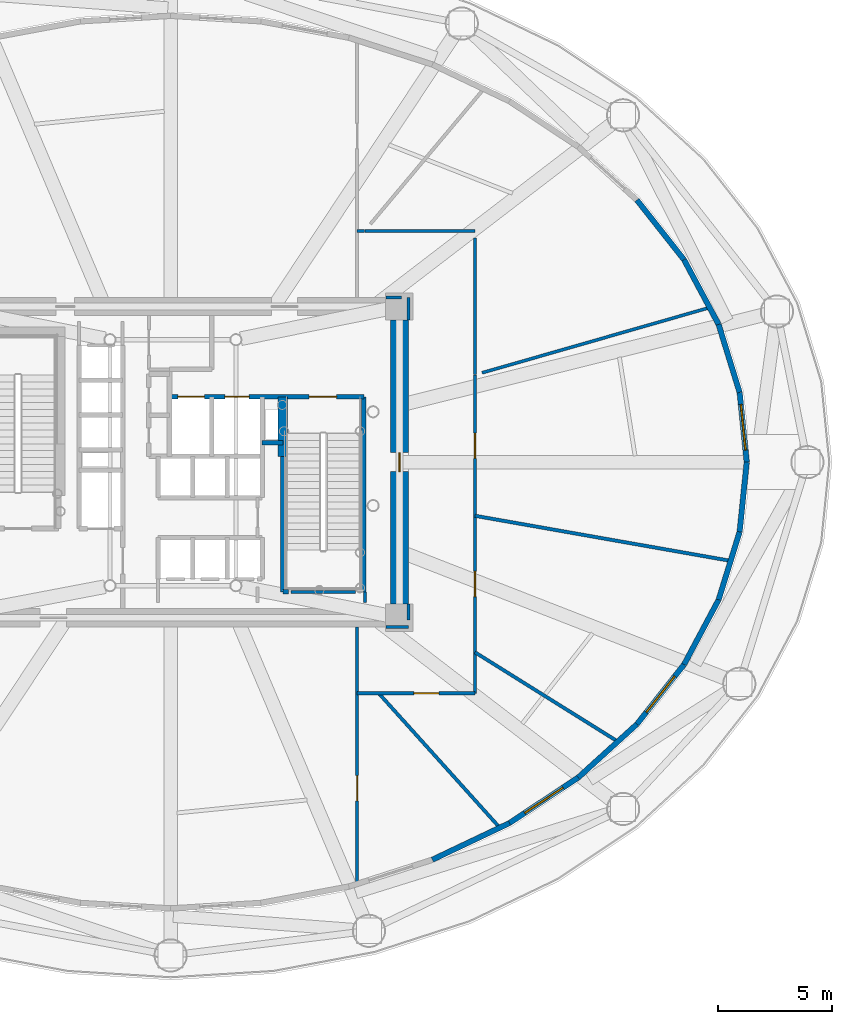
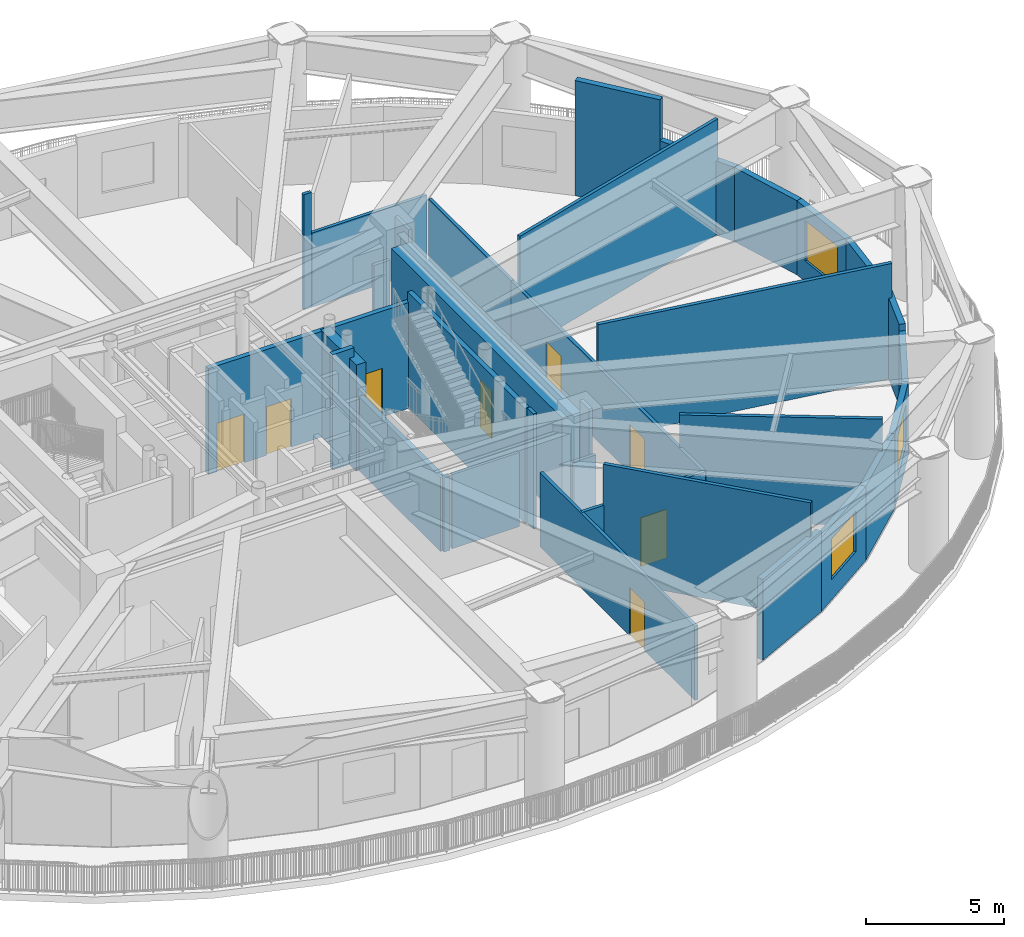
# One storey, part 7 of 15: 34 walls, 8 doors, 3 windows, 11 openings.
"""IFC4 building model written with IfcOpenShell, lengths in metres."""

from ifc_helpers import new_model, si_unit, direction, frame, frame_2d, origin, origin_2d, place, context, subcontext, project, spatial, rectangle, extrude, source, transform, mapped, material, layer, layer_set, type_object, element, fill, save


model = new_model("IFC4")

# Units and contexts
model_context = context("Model", 3, precision=1e-05, world=origin(), true_north=direction((0.0, 1.0)))
body_context = subcontext(model_context, "Body", "Model", "MODEL_VIEW")
ifc_project = project(units=[si_unit("LENGTHUNIT", "METRE"), si_unit("AREAUNIT", "SQUARE_METRE"), si_unit("VOLUMEUNIT", "CUBIC_METRE"), si_unit("PLANEANGLEUNIT", "RADIAN"), si_unit("MASSUNIT", "GRAM", prefix="KILO")], contexts=[model_context])

# Site, building, storey
site_placement = place(None, origin())
site = spatial("IfcSite", under=ifc_project, at=site_placement, CompositionType="ELEMENT")
building_placement = place(site_placement, origin())
building = spatial("IfcBuilding", under=site, at=building_placement, Name="Linh Dai School and Residence Tower", CompositionType="ELEMENT")
storey_placement = place(building_placement, frame((0.0, 0.0, 145.949951171875)))
storey = spatial("IfcBuildingStorey", under=building, at=storey_placement, Name="L35", CompositionType="ELEMENT", Elevation=145.949951171875)

# Wall, opening, window
ifc_material_1 = material(Name="Precast Concrete B45 (C35/45)", Category="concrete")
ifc_layer_1 = layer(ifc_material_1, 0.239990234375)
ifc_layer_set_1 = layer_set([ifc_layer_1], Name="Precast Concrete B45 (C35/45)")
wall_type_1 = type_object("IfcWallType", Name="EW-TC-240", PredefinedType="SOLIDWALL", material=ifc_layer_set_1)
wall_1_placement = place(storey_placement, frame((60.865966796875, 30.0458984375, 0.0), z_axis=(0.0, 0.0, 1.0), x_axis=(0.100956381824, -0.994890852792, 0.0)))
wall_1 = element("IfcWall", 1, at=wall_1_placement, inside=storey, type_object=wall_type_1, Name="L35 Terracotta Exterior Wall 01", PredefinedType="SOLIDWALL", context=body_context, shape_type="SweptSolid", body=[
    extrude(rectangle(XDim=3.0615234375, YDim=0.239990234375, at=frame_2d((1.53076171875, 0.0))), origin(), (0.0, 0.0, 1.0), 3.28515625),
])
opening_1_placement = place(wall_1_placement, frame((0.53076171875, 0.0, 0.89990234375)))
opening_1 = element("IfcOpeningElement", 2, at=opening_1_placement, cuts=wall_1, Name="Opening W5", PredefinedType="OPENING", context=body_context, shape_type="SweptSolid", body=[
    extrude(rectangle(XDim=2.0, YDim=1.800048828125, at=origin_2d()), frame((1.0, 0.1298828125, 0.89990234375), z_axis=(0.0, -1.0, 0.0), x_axis=(1.0, 0.0, 0.0)), (0.0, 0.0, 1.0), 0.260009765625),
])
ifc_material_2 = material(Name="Anodised Aluminium Weather Louvre", Category="aluminium")
window_type = type_object("IfcWindowType", Name="WN-LV-2000x1800", PartitioningType="SINGLE_PANEL", PredefinedType="USERDEFINED", material=ifc_material_2)
shared_shape_1 = source(origin(), body_context, "Body", "SweptSolid", [
    extrude(rectangle(XDim=2.0, YDim=1.800048828125, at=origin_2d()), frame((1.0, 0.030029296875, 0.89990234375), z_axis=(0.0, -1.0, 0.0), x_axis=(1.0, 0.0, 0.0)), (0.0, 0.0, 1.0), 0.06005859375),
])
window_1_placement = place(opening_1_placement, origin())
window_1 = element("IfcWindow", 3, at=window_1_placement, inside=storey, type_object=window_type, Name="L35 Plant Weather Louvre 01", ObjectType="LOUVRE VENT", OverallHeight=1.800048828125, OverallWidth=2.0, PartitioningType="SINGLE_PANEL", PredefinedType="USERDEFINED", context=body_context, shape_type="MappedRepresentation", body=[
    mapped(shared_shape_1, transform((0.0, 0.0, 0.0), x_axis=(1.0, 0.0, 0.0), y_axis=(0.0, 1.0, 0.0), z_axis=(0.0, 0.0, 1.0), scale=1.0)),
])
fill(opening_1, window_1)

# Walls
wall_2_placement = place(storey_placement, frame((59.946533203125, 33.017822265625, 0.0), z_axis=(0.0, 0.0, 1.0), x_axis=(0.295552425989, -0.955326521924, 0.0)))
element("IfcWall", 4, at=wall_2_placement, inside=storey, type_object=wall_type_1, Name="L35 Terracotta Exterior Wall 02", PredefinedType="SOLIDWALL", context=body_context, shape_type="SweptSolid", body=[
    extrude(rectangle(XDim=3.11083984375, YDim=0.239990234375, at=frame_2d((1.555419921875, 0.0))), origin(), (0.0, 0.0, 1.0), 3.28515625),
])
wall_3_placement = place(storey_placement, frame((58.43798828125, 35.84326171875, 0.0), z_axis=(0.0, 0.0, 1.0), x_axis=(0.470987769323, -0.882139740148, 0.0)))
element("IfcWall", 5, at=wall_3_placement, inside=storey, type_object=wall_type_1, Name="L35 Terracotta Exterior Wall 03", PredefinedType="SOLIDWALL", context=body_context, shape_type="SweptSolid", body=[
    extrude(rectangle(XDim=3.202880859375, YDim=0.239990234375, at=frame_2d((1.6015625, 0.0))), origin(), (0.0, 0.0, 1.0), 3.28515625),
])
wall_4_placement = place(storey_placement, frame((56.376953125, 38.452880859375, 0.0), z_axis=(0.0, 0.0, 1.0), x_axis=(0.619794245312, -0.784764355382, 0.0)))
element("IfcWall", 6, at=wall_4_placement, inside=storey, type_object=wall_type_1, Name="L35 Terracotta Exterior Wall 04", PredefinedType="SOLIDWALL", context=body_context, shape_type="SweptSolid", body=[
    extrude(rectangle(XDim=3.325439453125, YDim=0.239990234375, at=frame_2d((1.66259765625, 0.0))), origin(), (0.0, 0.0, 1.0), 5.10009765625),
])
wall_5_placement = place(storey_placement, frame((50.8095703125, 11.227783203125, 0.0), z_axis=(0.0, 0.0, 1.0), x_axis=(-0.903124021388, -0.429379787592, 0.0)))
element("IfcWall", 7, at=wall_5_placement, inside=storey, type_object=wall_type_1, Name="L35 Terracotta Exterior Wall 34", PredefinedType="SOLIDWALL", context=body_context, shape_type="SweptSolid", body=[
    extrude(rectangle(XDim=3.731201171875, YDim=0.239990234375, at=frame_2d((1.86572265625, 0.0))), origin(), (0.0, 0.0, 1.0), 3.5849609375),
])

# Wall, opening, window
wall_6_placement = place(storey_placement, frame((53.813232421875, 13.21826171875, 0.0), z_axis=(0.0, 0.0, 1.0), x_axis=(-0.83357940612, -0.552399650337, 0.0)))
wall_6 = element("IfcWall", 8, at=wall_6_placement, inside=storey, type_object=wall_type_1, Name="L35 Terracotta Exterior Wall 35", PredefinedType="SOLIDWALL", context=body_context, shape_type="SweptSolid", body=[
    extrude(rectangle(XDim=3.603271484375, YDim=0.239990234375, at=frame_2d((1.8017578125, 0.0))), origin(), (0.0, 0.0, 1.0), 3.28515625),
])
opening_2_placement = place(wall_6_placement, frame((0.801513671875, 0.0, 0.89990234375)))
opening_2 = element("IfcOpeningElement", 9, at=opening_2_placement, cuts=wall_6, Name="Opening W5", PredefinedType="OPENING", context=body_context, shape_type="SweptSolid", body=[
    extrude(rectangle(XDim=2.0, YDim=1.800048828125, at=origin_2d()), frame((1.0, 0.1298828125, 0.89990234375), z_axis=(0.0, -1.0, 0.0), x_axis=(1.0, 0.0, 0.0)), (0.0, 0.0, 1.0), 0.260009765625),
])
window_2_placement = place(opening_2_placement, origin())
window_2 = element("IfcWindow", 10, at=window_2_placement, inside=storey, type_object=window_type, Name="L35 Plant Weather Louvre 35", ObjectType="LOUVRE VENT", OverallHeight=1.800048828125, OverallWidth=2.0, PartitioningType="SINGLE_PANEL", PredefinedType="USERDEFINED", context=body_context, shape_type="MappedRepresentation", body=[
    mapped(shared_shape_1, transform((0.0, 0.0, 0.0), x_axis=(1.0, 0.0, 0.0), y_axis=(0.0, 1.0, 0.0), z_axis=(0.0, 0.0, 1.0), scale=1.0)),
])
fill(opening_2, window_2)

# Wall
wall_7_placement = place(storey_placement, frame((56.376953125, 15.547119140625, 0.0), z_axis=(0.0, 0.0, 1.0), x_axis=(-0.740198369861, -0.672388558242, 0.0)))
element("IfcWall", 11, at=wall_7_placement, inside=storey, type_object=wall_type_1, Name="L35 Terracotta Exterior Wall 36", PredefinedType="SOLIDWALL", context=body_context, shape_type="SweptSolid", body=[
    extrude(rectangle(XDim=3.463623046875, YDim=0.239990234375, at=frame_2d((1.73193359375, 0.0))), origin(), (0.0, 0.0, 1.0), 3.28515625),
])

# Wall, opening, window
wall_8_placement = place(storey_placement, frame((58.43798828125, 18.15673828125, 0.0), z_axis=(0.0, 0.0, 1.0), x_axis=(-0.619794245312, -0.784764355382, 0.0)))
wall_8 = element("IfcWall", 12, at=wall_8_placement, inside=storey, type_object=wall_type_1, Name="L35 Terracotta Exterior Wall 37", PredefinedType="SOLIDWALL", context=body_context, shape_type="SweptSolid", body=[
    extrude(rectangle(XDim=3.325439453125, YDim=0.239990234375, at=frame_2d((1.66259765625, 0.0))), origin(), (0.0, 0.0, 1.0), 3.28515625),
])
opening_3_placement = place(wall_8_placement, frame((0.66259765625, 0.0, 0.89990234375)))
opening_3 = element("IfcOpeningElement", 13, at=opening_3_placement, cuts=wall_8, Name="Opening W5", PredefinedType="OPENING", context=body_context, shape_type="SweptSolid", body=[
    extrude(rectangle(XDim=2.0, YDim=1.800048828125, at=origin_2d()), frame((1.0, 0.1298828125, 0.89990234375), z_axis=(0.0, -1.0, 0.0), x_axis=(1.0, 0.0, 0.0)), (0.0, 0.0, 1.0), 0.260009765625),
])
window_3_placement = place(opening_3_placement, origin())
window_3 = element("IfcWindow", 14, at=window_3_placement, inside=storey, type_object=window_type, Name="L35 Plant Weather Louvre 37", ObjectType="LOUVRE VENT", OverallHeight=1.800048828125, OverallWidth=2.0, PartitioningType="SINGLE_PANEL", PredefinedType="USERDEFINED", context=body_context, shape_type="MappedRepresentation", body=[
    mapped(shared_shape_1, transform((0.0, 0.0, 0.0), x_axis=(1.0, 0.0, 0.0), y_axis=(0.0, 1.0, 0.0), z_axis=(0.0, 0.0, 1.0), scale=1.0)),
])
fill(opening_3, window_3)

# Walls
wall_9_placement = place(storey_placement, frame((59.946533203125, 20.982177734375, 0.0), z_axis=(0.0, 0.0, 1.0), x_axis=(-0.470987769323, -0.882139740148, 0.0)))
element("IfcWall", 15, at=wall_9_placement, inside=storey, type_object=wall_type_1, Name="L35 Terracotta Exterior Wall 38", PredefinedType="SOLIDWALL", context=body_context, shape_type="SweptSolid", body=[
    extrude(rectangle(XDim=3.202880859375, YDim=0.239990234375, at=frame_2d((1.6015625, 0.0))), origin(), (0.0, 0.0, 1.0), 3.28515625),
])
wall_10_placement = place(storey_placement, frame((60.865966796875, 23.9541015625, 0.0), z_axis=(0.0, 0.0, 1.0), x_axis=(-0.295552425989, -0.955326521924, 0.0)))
element("IfcWall", 16, at=wall_10_placement, inside=storey, type_object=wall_type_1, Name="L35 Terracotta Exterior Wall 39", PredefinedType="SOLIDWALL", context=body_context, shape_type="SweptSolid", body=[
    extrude(rectangle(XDim=3.11083984375, YDim=0.239990234375, at=frame_2d((1.555419921875, 0.0))), origin(), (0.0, 0.0, 1.0), 3.5849609375),
])
wall_11_placement = place(storey_placement, frame((61.175048828125, 27.0, 0.0), z_axis=(0.0, 0.0, 1.0), x_axis=(-0.100956381824, -0.994890852792, 0.0)))
element("IfcWall", 17, at=wall_11_placement, inside=storey, type_object=wall_type_1, Name="L35 Terracotta Exterior Wall 40", PredefinedType="SOLIDWALL", context=body_context, shape_type="SweptSolid", body=[
    extrude(rectangle(XDim=3.0615234375, YDim=0.239990234375, at=frame_2d((1.53076171875, 0.0))), origin(), (0.0, 0.0, 1.0), 3.28515625),
])

# Wall, opening, door
ifc_material_3 = material(Name="Autoclaved Aerated Concrete Blockwork", Category="masonry")
ifc_layer_2 = layer(ifc_material_3, 0.135009765625)
ifc_layer_set_2 = layer_set([ifc_layer_2], Name="Autoclaved Aerated Concrete Blockwork")
wall_type_2 = type_object("IfcWallType", Name="IW-CORR-135-EI90", PredefinedType="PARTITIONING", material=ifc_layer_set_2)
wall_12_placement = place(storey_placement, frame((44.14990234375, 8.563232421875, 0.0), z_axis=(0.0, 0.0, 1.0), x_axis=(0.0, 1.0, 0.0)))
wall_12 = element("IfcWall", 18, at=wall_12_placement, inside=storey, type_object=wall_type_2, Name="L35 Interior Partition Wall 047", PredefinedType="PARTITIONING", context=body_context, shape_type="SweptSolid", body=[
    extrude(rectangle(XDim=11.23681640625, YDim=0.135009765625, at=frame_2d((5.618408203125, 0.0))), origin(), (0.0, 0.0, 1.0), 3.28515625),
])
opening_4_placement = place(wall_12_placement, frame((3.638427734375, 0.0, 0.0)))
opening_4 = element("IfcOpeningElement", 19, at=opening_4_placement, cuts=wall_12, Name="Opening D07", PredefinedType="OPENING", context=body_context, shape_type="SweptSolid", body=[
    extrude(rectangle(XDim=1.10009765625, YDim=2.14990234375, at=origin_2d()), frame((0.550048828125, 0.07763671875, 1.074951171875), z_axis=(0.0, -1.0, 0.0), x_axis=(1.0, 0.0, 0.0)), (0.0, 0.0, 1.0), 0.155029296875),
])
ifc_material_4 = material(Name="Fire-Rated Louvred Steel Plant Door", Category="steel")
door_type_1 = type_object("IfcDoorType", Name="DR-PLT-1100x2150-FD60S", OperationType="NOTDEFINED", PredefinedType="DOOR", material=ifc_material_4)
shared_shape_2 = source(origin(), body_context, "Body", "SweptSolid", [
    extrude(rectangle(XDim=1.10009765625, YDim=2.14990234375, at=origin_2d()), frame((0.550048828125, 0.02490234375, 1.074951171875), z_axis=(0.0, -1.0, 0.0), x_axis=(1.0, 0.0, 0.0)), (0.0, 0.0, 1.0), 0.050048828125),
])
door_1_placement = place(opening_4_placement, origin())
door_1 = element("IfcDoor", 20, at=door_1_placement, inside=storey, type_object=door_type_1, Name="L35 Emergency Life-Safety UPS Battery Plant Room Door", OperationType="SINGLE_SWING_LEFT", OverallHeight=2.14990234375, OverallWidth=1.10009765625, PredefinedType="DOOR", context=body_context, shape_type="MappedRepresentation", body=[
    mapped(shared_shape_2, transform((0.0, 0.0, 0.0), x_axis=(1.0, 0.0, 0.0), y_axis=(0.0, 1.0, 0.0), z_axis=(0.0, 0.0, 1.0), scale=1.0)),
])
fill(opening_4, door_1)

wall_13_placement = place(storey_placement, frame((44.14990234375, 16.89990234375, 0.0), z_axis=(0.0, 0.0, 1.0), x_axis=(1.0, 0.0, 0.0)))
wall_13 = element("IfcWall", 21, at=wall_13_placement, inside=storey, type_object=wall_type_2, Name="L35 Interior Partition Wall 048", PredefinedType="PARTITIONING", context=body_context, shape_type="SweptSolid", body=[
    extrude(rectangle(XDim=5.150146484375, YDim=0.135009765625, at=frame_2d((2.5751953125, 0.0))), origin(), (0.0, 0.0, 1.0), 3.28515625),
])
opening_5_placement = place(wall_13_placement, frame((2.47705078125, 0.0, 0.0)))
opening_5 = element("IfcOpeningElement", 22, at=opening_5_placement, cuts=wall_13, Name="Opening D07", PredefinedType="OPENING", context=body_context, shape_type="SweptSolid", body=[
    extrude(rectangle(XDim=1.10009765625, YDim=2.14990234375, at=origin_2d()), frame((0.550048828125, 0.07763671875, 1.074951171875), z_axis=(0.0, -1.0, 0.0), x_axis=(1.0, 0.0, 0.0)), (0.0, 0.0, 1.0), 0.155029296875),
])
door_2_placement = place(opening_5_placement, origin())
door_2 = element("IfcDoor", 23, at=door_2_placement, inside=storey, type_object=door_type_1, Name="L35 Refuge Emergency Equipment & First-Aid Store Door", OperationType="SINGLE_SWING_RIGHT", OverallHeight=2.14990234375, OverallWidth=1.10009765625, PredefinedType="DOOR", context=body_context, shape_type="MappedRepresentation", body=[
    mapped(shared_shape_2, transform((0.0, 0.0, 0.0), x_axis=(1.0, 0.0, 0.0), y_axis=(0.0, 1.0, 0.0), z_axis=(0.0, 0.0, 1.0), scale=1.0)),
])
fill(opening_5, door_2)

# Wall
wall_14_placement = place(storey_placement, frame((44.14990234375, 37.10009765625, 0.0), z_axis=(0.0, 0.0, 1.0), x_axis=(1.0, 0.0, 0.0)))
element("IfcWall", 24, at=wall_14_placement, inside=storey, type_object=wall_type_2, Name="L35 Interior Partition Wall 050", PredefinedType="PARTITIONING", context=body_context, shape_type="SweptSolid", body=[
    extrude(rectangle(XDim=0.324951171875, YDim=0.135009765625, at=frame_2d((0.16259765625, 0.0))), origin(), (0.0, 0.0, 1.0), 5.10009765625),
])

# Wall, openings, doors
wall_15_placement = place(storey_placement, frame((49.300048828125, 16.89990234375, 0.0), z_axis=(0.0, 0.0, 1.0), x_axis=(0.0, 1.0, 0.0)))
wall_15 = element("IfcWall", 25, at=wall_15_placement, inside=storey, type_object=wall_type_2, Name="L35 Interior Partition Wall 053", PredefinedType="PARTITIONING", context=body_context, shape_type="SweptSolid", body=[
    extrude(rectangle(XDim=13.913818359375, YDim=0.135009765625, at=frame_2d((6.95703125, 0.0))), origin(), (0.0, 0.0, 1.0), 3.28515625),
])
opening_6_placement = place(wall_15_placement, frame((4.221923828125, 0.0, 0.0)))
opening_6 = element("IfcOpeningElement", 26, at=opening_6_placement, cuts=wall_15, Name="Opening D07", PredefinedType="OPENING", context=body_context, shape_type="SweptSolid", body=[
    extrude(rectangle(XDim=1.10009765625, YDim=2.14990234375, at=origin_2d()), frame((0.550048828125, 0.07763671875, 1.074951171875), z_axis=(0.0, -1.0, 0.0), x_axis=(1.0, 0.0, 0.0)), (0.0, 0.0, 1.0), 0.155029296875),
])
opening_7_placement = place(wall_15_placement, frame((10.264404296875, 0.0, 0.0)))
opening_7 = element("IfcOpeningElement", 27, at=opening_7_placement, cuts=wall_15, Name="Opening D07", PredefinedType="OPENING", context=body_context, shape_type="SweptSolid", body=[
    extrude(rectangle(XDim=1.10009765625, YDim=2.14990234375, at=origin_2d()), frame((0.550048828125, 0.07763671875, 1.074951171875), z_axis=(0.0, -1.0, 0.0), x_axis=(1.0, 0.0, 0.0)), (0.0, 0.0, 1.0), 0.155029296875),
])
door_3_placement = place(opening_6_placement, origin())
door_3 = element("IfcDoor", 28, at=door_3_placement, inside=storey, type_object=door_type_1, Name="L35 Primary Air-Handling Plant Room East 1 Door", OperationType="SINGLE_SWING_LEFT", OverallHeight=2.14990234375, OverallWidth=1.10009765625, PredefinedType="DOOR", context=body_context, shape_type="MappedRepresentation", body=[
    mapped(shared_shape_2, transform((0.0, 0.0, 0.0), x_axis=(1.0, 0.0, 0.0), y_axis=(0.0, 1.0, 0.0), z_axis=(0.0, 0.0, 1.0), scale=1.0)),
])
fill(opening_6, door_3)
door_4_placement = place(opening_7_placement, origin())
door_4 = element("IfcDoor", 29, at=door_4_placement, inside=storey, type_object=door_type_1, Name="L35 Primary Air-Handling Plant Room East 2 Door", OperationType="SINGLE_SWING_RIGHT", OverallHeight=2.14990234375, OverallWidth=1.10009765625, PredefinedType="DOOR", context=body_context, shape_type="MappedRepresentation", body=[
    mapped(shared_shape_2, transform((0.0, 0.0, 0.0), x_axis=(1.0, 0.0, 0.0), y_axis=(0.0, 1.0, 0.0), z_axis=(0.0, 0.0, 1.0), scale=1.0)),
])
fill(opening_7, door_4)

# Walls
wall_16_placement = place(storey_placement, frame((44.080078125, 21.330078125, 0.0), z_axis=(0.0, 0.0, 1.0), x_axis=(-1.0, 0.0, 0.0)))
element("IfcWall", 30, at=wall_16_placement, inside=storey, type_object=wall_type_2, Name="L35 Interior Partition Wall 056", PredefinedType="PARTITIONING", context=body_context, shape_type="SweptSolid", body=[
    extrude(rectangle(XDim=2.820068359375, YDim=0.135009765625, at=frame_2d((1.41015625, 0.0))), origin(), (0.0, 0.0, 1.0), 3.28515625),
])
wall_17_placement = place(storey_placement, frame((44.5, 20.860107421875, 0.0), z_axis=(0.0, 0.0, 1.0), x_axis=(0.0, 1.0, 0.0)))
element("IfcWall", 31, at=wall_17_placement, inside=storey, type_object=wall_type_2, Name="L35 Interior Partition Wall 063", PredefinedType="PARTITIONING", context=body_context, shape_type="SweptSolid", body=[
    extrude(rectangle(XDim=0.4599609375, YDim=0.135009765625, at=frame_2d((0.22998046875, 0.0))), origin(), (0.0, 0.0, 1.0), 5.10009765625),
])
wall_18_placement = place(storey_placement, frame((45.409912109375, 19.800048828125, 0.0), z_axis=(0.0, 0.0, 1.0), x_axis=(1.0, 0.0, 0.0)))
element("IfcWall", 32, at=wall_18_placement, inside=storey, type_object=wall_type_2, Name="L35 Interior Partition Wall 070", PredefinedType="PARTITIONING", context=body_context, shape_type="SweptSolid", body=[
    extrude(rectangle(XDim=0.989990234375, YDim=0.135009765625, at=frame_2d((0.4951171875, 0.0))), origin(), (0.0, 0.0, 1.0), 3.28515625),
])
wall_19_placement = place(storey_placement, frame((46.39990234375, 20.107421875, 0.0), z_axis=(0.0, 0.0, 1.0), x_axis=(0.0, 1.0, 0.0)))
element("IfcWall", 33, at=wall_19_placement, inside=storey, type_object=wall_type_2, Name="L35 Interior Partition Wall 071", PredefinedType="PARTITIONING", context=body_context, shape_type="SweptSolid", body=[
    extrude(rectangle(XDim=0.6826171875, YDim=0.135009765625, at=frame_2d((0.34130859375, 0.0))), origin(), (0.0, 0.0, 1.0), 5.10009765625),
])
wall_20_placement = place(storey_placement, frame((46.39990234375, 33.2099609375, 0.0), z_axis=(0.0, 0.0, 1.0), x_axis=(0.0, 1.0, 0.0)))
element("IfcWall", 34, at=wall_20_placement, inside=storey, type_object=wall_type_2, Name="L35 Interior Partition Wall 072", PredefinedType="PARTITIONING", context=body_context, shape_type="SweptSolid", body=[
    extrude(rectangle(XDim=0.989990234375, YDim=0.135009765625, at=frame_2d((0.4951171875, 0.0))), origin(), (0.0, 0.0, 1.0), 5.10009765625),
])
wall_21_placement = place(storey_placement, frame((46.092529296875, 34.199951171875, 0.0), z_axis=(0.0, 0.0, 1.0), x_axis=(-1.0, 0.0, 0.0)))
element("IfcWall", 35, at=wall_21_placement, inside=storey, type_object=wall_type_2, Name="L35 Interior Partition Wall 073", PredefinedType="PARTITIONING", context=body_context, shape_type="SweptSolid", body=[
    extrude(rectangle(XDim=0.6826171875, YDim=0.135009765625, at=frame_2d((0.34130859375, 0.0))), origin(), (0.0, 0.0, 1.0), 3.28515625),
])
wall_22_placement = place(storey_placement, frame((44.48486328125, 37.10009765625, 0.0), z_axis=(0.0, 0.0, 1.0), x_axis=(1.0, 0.0, 0.0)))
element("IfcWall", 36, at=wall_22_placement, inside=storey, type_object=wall_type_2, Name="L35 Interior Partition Wall 074", PredefinedType="PARTITIONING", context=body_context, shape_type="SweptSolid", body=[
    extrude(rectangle(XDim=4.815185546875, YDim=0.135009765625, at=frame_2d((2.40771484375, 0.0))), origin(), (0.0, 0.0, 1.0), 3.28515625),
])
wall_23_placement = place(storey_placement, frame((49.300048828125, 36.79248046875, 0.0), z_axis=(0.0, 0.0, 1.0), x_axis=(0.0, -1.0, 0.0)))
element("IfcWall", 37, at=wall_23_placement, inside=storey, type_object=wall_type_2, Name="L35 Interior Partition Wall 075", PredefinedType="PARTITIONING", context=body_context, shape_type="SweptSolid", body=[
    extrude(rectangle(XDim=5.96875, YDim=0.135009765625, at=frame_2d((2.984375, 0.0))), origin(), (0.0, 0.0, 1.0), 3.28515625),
])
wall_24_placement = place(storey_placement, frame((49.607421875, 30.90185546875, 0.0), z_axis=(0.0, 0.0, 1.0), x_axis=(0.961264540221, 0.275627436433, 0.0)))
element("IfcWall", 38, at=wall_24_placement, inside=storey, type_object=wall_type_2, Name="L35 Interior Partition Wall 076", PredefinedType="PARTITIONING", context=body_context, shape_type="SweptSolid", body=[
    extrude(rectangle(XDim=10.351806640625, YDim=0.135009765625, at=frame_2d((5.17578125, 0.0))), origin(), (0.0, 0.0, 1.0), 5.10009765625),
])
ifc_layer_3 = layer(ifc_material_3, 0.14990234375)
ifc_layer_set_3 = layer_set([ifc_layer_3], Name="Autoclaved Aerated Concrete Blockwork")
wall_type_3 = type_object("IfcWallType", Name="IW-SCH-150-EI60", PredefinedType="PARTITIONING", material=ifc_layer_set_3)
wall_25_placement = place(storey_placement, frame((45.093994140625, 16.89990234375, 0.0), z_axis=(0.0, 0.0, 1.0), x_axis=(0.669148868255, -0.743128381986, 0.0)))
element("IfcWall", 39, at=wall_25_placement, inside=storey, type_object=wall_type_3, Name="L35 Interior Partition Wall 052", PredefinedType="PARTITIONING", context=body_context, shape_type="SweptSolid", body=[
    extrude(rectangle(XDim=7.910400390625, YDim=0.14990234375, at=frame_2d((3.955078125, 0.0))), origin(), (0.0, 0.0, 1.0), 5.10009765625),
])
wall_26_placement = place(storey_placement, frame((49.300048828125, 18.689208984375, 0.0), z_axis=(0.0, 0.0, 1.0), x_axis=(0.848052302271, -0.529912532984, 0.0)))
element("IfcWall", 40, at=wall_26_placement, inside=storey, type_object=wall_type_3, Name="L35 Interior Partition Wall 054", PredefinedType="PARTITIONING", context=body_context, shape_type="SweptSolid", body=[
    extrude(rectangle(XDim=7.365478515625, YDim=0.14990234375, at=frame_2d((3.6826171875, 0.0))), origin(), (0.0, 0.0, 1.0), 4.72509765625),
])
wall_27_placement = place(storey_placement, frame((49.300048828125, 24.65478515625, 0.0), z_axis=(0.0, 0.0, 1.0), x_axis=(0.984808882724, -0.173641770634, 0.0)))
element("IfcWall", 41, at=wall_27_placement, inside=storey, type_object=wall_type_3, Name="L35 Interior Partition Wall 055", PredefinedType="PARTITIONING", context=body_context, shape_type="SweptSolid", body=[
    extrude(rectangle(XDim=11.3505859375, YDim=0.14990234375, at=frame_2d((5.67529296875, 0.0))), origin(), (0.0, 0.0, 1.0), 5.10009765625),
])

# Wall, openings, doors
ifc_material_5 = material(Name="Concrete B45 (C35/45)", Category="concrete")
ifc_layer_4 = layer(ifc_material_5, 0.199951171875)
ifc_layer_set_4 = layer_set([ifc_layer_4], Name="Concrete B45 (C35/45)")
wall_type_4 = type_object("IfcWallType", Name="IW-SHAFT-200-EI120", PredefinedType="PARTITIONING", material=ifc_layer_set_4)
wall_28_placement = place(storey_placement, frame((35.949951171875, 29.85009765625, 0.0), z_axis=(0.0, 0.0, 1.0), x_axis=(1.0, 0.0, 0.0)))
wall_28 = element("IfcWall", 42, at=wall_28_placement, inside=storey, type_object=wall_type_4, Name="L35 Interior Partition Wall 032", PredefinedType="PARTITIONING", context=body_context, shape_type="SweptSolid", body=[
    extrude(rectangle(XDim=8.489990234375, YDim=0.199951171875, at=frame_2d((4.2451171875, 0.0))), origin(), (0.0, 0.0, 1.0), 4.68505859375),
])
opening_8_placement = place(wall_28_placement, frame((6.10009765625, 0.0, 0.0)))
opening_8 = element("IfcOpeningElement", 43, at=opening_8_placement, cuts=wall_28, Name="Opening D01", PredefinedType="OPENING", context=body_context, shape_type="SweptSolid", body=[
    extrude(rectangle(XDim=1.199951171875, YDim=2.14990234375, at=origin_2d()), frame((0.60009765625, 0.10986328125, 1.074951171875), z_axis=(0.0, -1.0, 0.0), x_axis=(1.0, 0.0, 0.0)), (0.0, 0.0, 1.0), 0.219970703125),
])
opening_9_placement = place(wall_28_placement, frame((0.3701171875, 0.0, 0.0)))
opening_9 = element("IfcOpeningElement", 44, at=opening_9_placement, cuts=wall_28, Name="Opening LD-FF1", PredefinedType="OPENING", context=body_context, shape_type="SweptSolid", body=[
    extrude(rectangle(XDim=1.14990234375, YDim=2.14990234375, at=origin_2d()), frame((0.574951171875, 0.10986328125, 1.074951171875), z_axis=(0.0, -1.0, 0.0), x_axis=(1.0, 0.0, 0.0)), (0.0, 0.0, 1.0), 0.219970703125),
])
opening_10_placement = place(wall_28_placement, frame((2.425048828125, 0.0, 0.0)))
opening_10 = element("IfcOpeningElement", 45, at=opening_10_placement, cuts=wall_28, Name="Opening LD-SV1", PredefinedType="OPENING", context=body_context, shape_type="SweptSolid", body=[
    extrude(rectangle(XDim=1.050048828125, YDim=2.14990234375, at=origin_2d()), frame((0.52490234375, 0.10986328125, 1.074951171875), z_axis=(0.0, -1.0, 0.0), x_axis=(1.0, 0.0, 0.0)), (0.0, 0.0, 1.0), 0.219970703125),
])
ifc_material_6 = material(Name="Fire-Rated Steel Door Leaf", Category="steel")
door_type_2 = type_object("IfcDoorType", Name="DR-STAIR-1200x2150-FD90S", OperationType="NOTDEFINED", PredefinedType="DOOR", material=ifc_material_6)
shared_shape_3 = source(origin(), body_context, "Body", "SweptSolid", [
    extrude(rectangle(XDim=1.199951171875, YDim=2.14990234375, at=origin_2d()), frame((0.60009765625, 0.02490234375, 1.074951171875), z_axis=(0.0, -1.0, 0.0), x_axis=(1.0, 0.0, 0.0)), (0.0, 0.0, 1.0), 0.050048828125),
])
door_5_placement = place(opening_8_placement, origin())
door_5 = element("IfcDoor", 46, at=door_5_placement, inside=storey, type_object=door_type_2, Name="L35 Core Smokeproof Exit Stair ST2 Door", OperationType="SINGLE_SWING_RIGHT", OverallHeight=2.14990234375, OverallWidth=1.199951171875, PredefinedType="DOOR", context=body_context, shape_type="MappedRepresentation", body=[
    mapped(shared_shape_3, transform((0.0, 0.0, 0.0), x_axis=(1.0, 0.0, 0.0), y_axis=(0.0, 1.0, 0.0), z_axis=(0.0, 0.0, 1.0), scale=1.0)),
])
fill(opening_8, door_5)
ifc_material_7 = material(Name="Fire-Rated Stainless Steel Firefighting Lift Door", Category="steel")
door_type_3 = type_object("IfcDoorType", Name="DR-LD-FF-1150x2150-FD120", OperationType="DOUBLE_DOOR_SLIDING", PredefinedType="USERDEFINED", material=ifc_material_7)
shared_shape_4 = source(origin(), body_context, "Body", "SweptSolid", [
    extrude(rectangle(XDim=1.14990234375, YDim=2.14990234375, at=origin_2d()), frame((0.574951171875, 0.02490234375, 1.074951171875), z_axis=(0.0, -1.0, 0.0), x_axis=(1.0, 0.0, 0.0)), (0.0, 0.0, 1.0), 0.050048828125),
])
door_6_placement = place(opening_9_placement, origin())
door_6 = element("IfcDoor", 47, at=door_6_placement, inside=storey, type_object=door_type_3, Name="L35 Lift FF1 Sliding Landing Door", ObjectType="LANDING DOOR", OperationType="DOUBLE_DOOR_SLIDING", OverallHeight=2.14990234375, OverallWidth=1.14990234375, PredefinedType="USERDEFINED", context=body_context, shape_type="MappedRepresentation", body=[
    mapped(shared_shape_4, transform((0.0, 0.0, 0.0), x_axis=(1.0, 0.0, 0.0), y_axis=(0.0, 1.0, 0.0), z_axis=(0.0, 0.0, 1.0), scale=1.0)),
])
fill(opening_9, door_6)
ifc_material_8 = material(Name="Brushed Stainless Steel Lift Landing Door", Category="steel")
door_type_4 = type_object("IfcDoorType", Name="DR-LD-PASS-1050x2150", OperationType="DOUBLE_DOOR_SLIDING", PredefinedType="USERDEFINED", material=ifc_material_8)
shared_shape_5 = source(origin(), body_context, "Body", "SweptSolid", [
    extrude(rectangle(XDim=1.050048828125, YDim=2.14990234375, at=origin_2d()), frame((0.52490234375, 0.02490234375, 1.074951171875), z_axis=(0.0, -1.0, 0.0), x_axis=(1.0, 0.0, 0.0)), (0.0, 0.0, 1.0), 0.050048828125),
])
door_7_placement = place(opening_10_placement, origin())
door_7 = element("IfcDoor", 48, at=door_7_placement, inside=storey, type_object=door_type_4, Name="L35 Lift SV1 Sliding Landing Door", ObjectType="LANDING DOOR", OperationType="DOUBLE_DOOR_SLIDING", OverallHeight=2.14990234375, OverallWidth=1.050048828125, PredefinedType="USERDEFINED", context=body_context, shape_type="MappedRepresentation", body=[
    mapped(shared_shape_5, transform((0.0, 0.0, 0.0), x_axis=(1.0, 0.0, 0.0), y_axis=(0.0, 1.0, 0.0), z_axis=(0.0, 0.0, 1.0), scale=1.0)),
])
fill(opening_10, door_7)

# Walls
wall_29_placement = place(storey_placement, frame((40.0, 27.85009765625, 0.0), z_axis=(0.0, 0.0, 1.0), x_axis=(1.0, 0.0, 0.0)))
element("IfcWall", 49, at=wall_29_placement, inside=storey, type_object=wall_type_4, Name="L35 Interior Partition Wall 044", PredefinedType="PARTITIONING", context=body_context, shape_type="SweptSolid", body=[
    extrude(rectangle(XDim=0.89990234375, YDim=0.199951171875, at=frame_2d((0.449951171875, 0.0))), origin(), (0.0, 0.0, 1.0), 5.10009765625),
])
wall_30_placement = place(storey_placement, frame((40.89990234375, 21.330078125, 0.0), z_axis=(0.0, 0.0, 1.0), x_axis=(0.0, 1.0, 0.0)))
element("IfcWall", 50, at=wall_30_placement, inside=storey, type_object=wall_type_4, Name="L35 Interior Partition Wall 045", PredefinedType="PARTITIONING", context=body_context, shape_type="SweptSolid", body=[
    extrude(rectangle(XDim=5.909912109375, YDim=0.199951171875, at=frame_2d((2.955078125, 0.0))), origin(), (0.0, 0.0, 1.0), 3.28515625),
])
wall_31_placement = place(storey_placement, frame((40.89990234375, 21.330078125, 0.0), z_axis=(0.0, 0.0, 1.0), x_axis=(1.0, 0.0, 0.0)))
element("IfcWall", 51, at=wall_31_placement, inside=storey, type_object=wall_type_4, Name="L35 Interior Partition Wall 046", PredefinedType="PARTITIONING", context=body_context, shape_type="SweptSolid", body=[
    extrude(rectangle(XDim=0.25, YDim=0.199951171875, at=frame_2d((0.125, 0.0))), origin(), (0.0, 0.0, 1.0), 3.28515625),
])
wall_32_placement = place(storey_placement, frame((44.43994140625, 21.330078125, 0.0), z_axis=(0.0, 0.0, 1.0), x_axis=(0.0, 1.0, 0.0)))
element("IfcWall", 52, at=wall_32_placement, inside=storey, type_object=wall_type_4, Name="L35 Interior Partition Wall 051", PredefinedType="PARTITIONING", context=body_context, shape_type="SweptSolid", body=[
    extrude(rectangle(XDim=8.52001953125, YDim=0.199951171875, at=frame_2d((4.260009765625, 0.0))), origin(), (0.0, 0.0, 1.0), 5.10009765625),
])
ifc_layer_5 = layer(ifc_material_5, 0.39990234375)
ifc_layer_set_5 = layer_set([ifc_layer_5], Name="Concrete B45 (C35/45)")
wall_type_5 = type_object("IfcWallType", Name="WL-CORE400", PredefinedType="SHEAR", material=ifc_layer_set_5)
wall_33_placement = place(storey_placement, frame((40.89990234375, 27.25, 0.0), z_axis=(0.0, 0.0, 1.0), x_axis=(0.0, 1.0, 0.0)))
element("IfcWall", 53, at=wall_33_placement, inside=storey, type_object=wall_type_5, Name="L35 Internal Core Shear Wall IE", PredefinedType="SHEAR", context=body_context, shape_type="SweptSolid", body=[
    extrude(rectangle(XDim=2.60009765625, YDim=0.39990234375, at=frame_2d((1.300048828125, 0.0))), origin(), (0.0, 0.0, 1.0), 4.699951171875),
])

# Wall, opening, door
ifc_material_9 = material(Name="Concrete B60 (C50/60)", Category="concrete")
ifc_layer_6 = layer(ifc_material_9, 0.800048828125)
ifc_layer_set_6 = layer_set([ifc_layer_6], Name="Concrete B60 (C50/60)")
wall_type_6 = type_object("IfcWallType", Name="WL-CORE800", PredefinedType="SHEAR", material=ifc_layer_set_6)
wall_34_placement = place(storey_placement, frame((46.0, 33.199951171875, 0.0), z_axis=(0.0, 0.0, 1.0), x_axis=(0.0, -1.0, 0.0)))
wall_34 = element("IfcWall", 54, at=wall_34_placement, inside=storey, type_object=wall_type_6, Name="L35 Central Core Shear Wall E", PredefinedType="SHEAR", context=body_context, shape_type="SweptSolid", body=[
    extrude(rectangle(XDim=12.39990234375, YDim=0.800048828125, at=frame_2d((6.199951171875, 0.0))), origin(), (0.0, 0.0, 1.0), 4.550048828125),
])
opening_11_placement = place(wall_34_placement, frame((5.7900390625, 0.0, 0.0)))
opening_11 = element("IfcOpeningElement", 55, at=opening_11_placement, cuts=wall_34, Name="Opening D06", PredefinedType="OPENING", context=body_context, shape_type="SweptSolid", body=[
    extrude(rectangle(XDim=0.820068359375, YDim=2.10009765625, at=origin_2d()), frame((0.41015625, 0.41015625, 1.050048828125), z_axis=(0.0, -1.0, 0.0), x_axis=(1.0, 0.0, 0.0)), (0.0, 0.0, 1.0), 0.820068359375),
])
ifc_material_10 = material(Name="Moisture-Resistant Timber Bathroom Door", Category="wood")
door_type_5 = type_object("IfcDoorType", Name="DR-WET-820x2100", OperationType="NOTDEFINED", PredefinedType="DOOR", material=ifc_material_10)
shared_shape_6 = source(origin(), body_context, "Body", "SweptSolid", [
    extrude(rectangle(XDim=0.820068359375, YDim=2.10009765625, at=origin_2d()), frame((0.41015625, 0.02490234375, 1.050048828125), z_axis=(0.0, -1.0, 0.0), x_axis=(1.0, 0.0, 0.0)), (0.0, 0.0, 1.0), 0.050048828125),
])
door_8_placement = place(opening_11_placement, origin())
door_8 = element("IfcDoor", 56, at=door_8_placement, inside=storey, type_object=door_type_5, Name="L35 Firefighting Lobby Door", OperationType="SINGLE_SWING_LEFT", OverallHeight=2.10009765625, OverallWidth=0.820068359375, PredefinedType="DOOR", context=body_context, shape_type="MappedRepresentation", body=[
    mapped(shared_shape_6, transform((0.0, 0.0, 0.0), x_axis=(1.0, 0.0, 0.0), y_axis=(0.0, 1.0, 0.0), z_axis=(0.0, 0.0, 1.0), scale=1.0)),
])
fill(opening_11, door_8)

save(model, "model.ifc")
